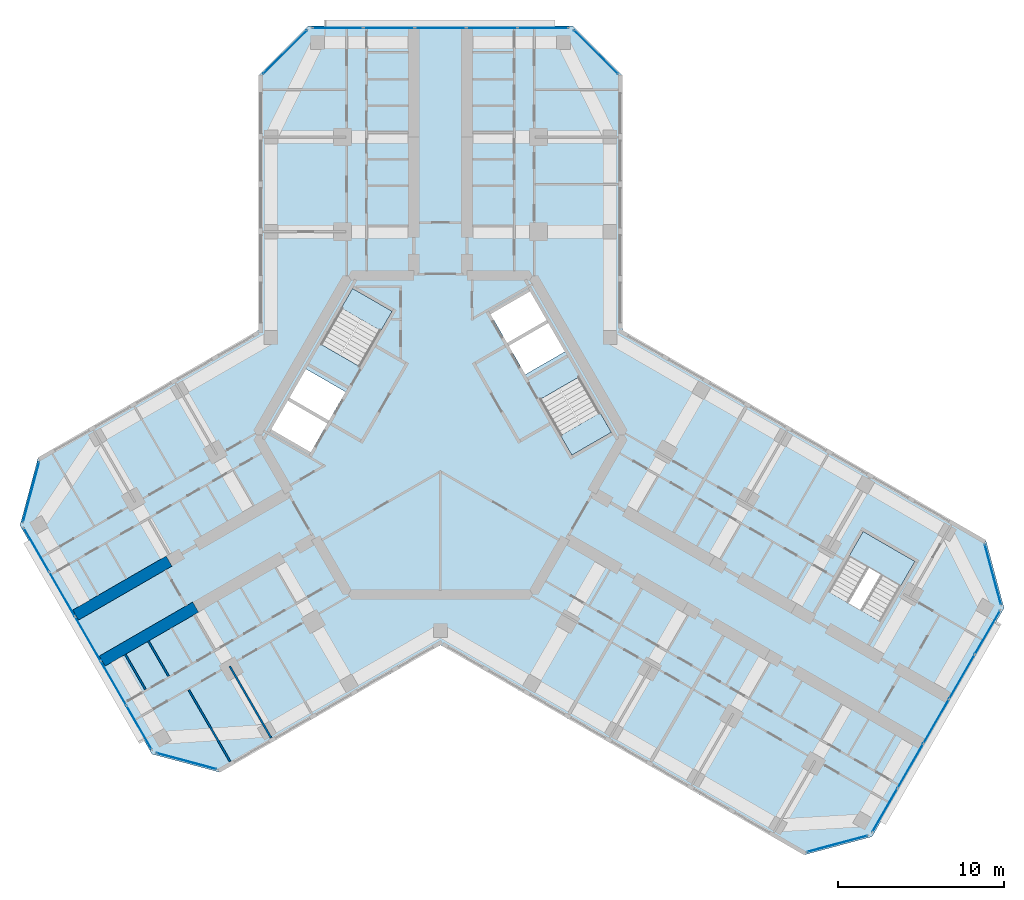
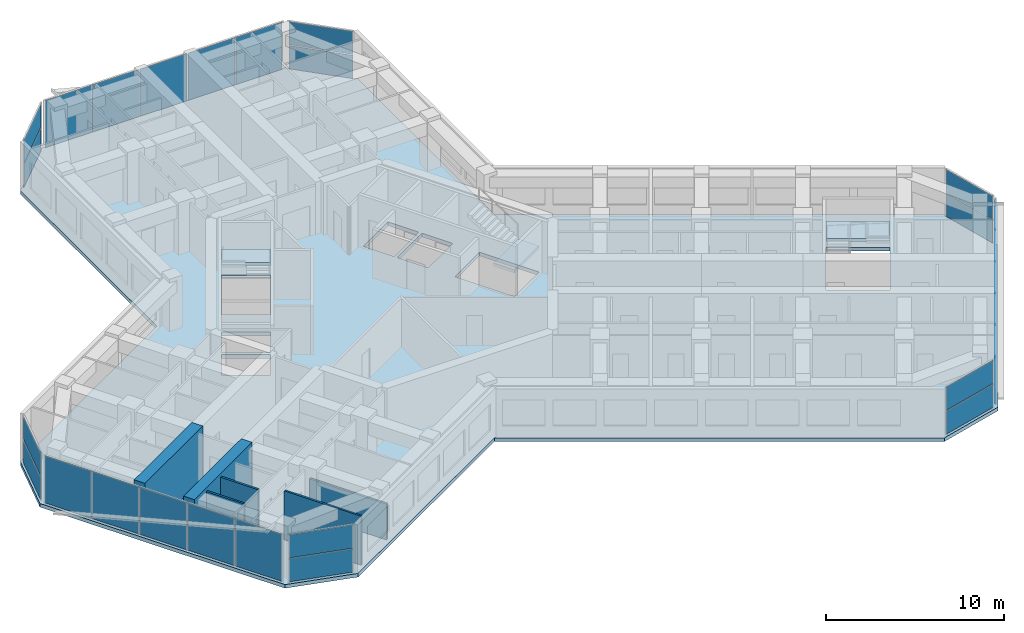
# One storey, part 7 of 16: 27 plates, 6 walls, 4 slabs, 12 elements without a shape of their own.
"""IFC4 building model written with IfcOpenShell, lengths in metres."""

from ifc_helpers import new_model, si_unit, direction, frame, frame_2d, origin, origin_2d, place, context, subcontext, project, spatial, polyline, rectangle, outline, extrude, material, layer, layer_set, type_object, element, aggregate, save


model = new_model("IFC4")

# Units and contexts
model_context = context("Model", 3, precision=1e-05, world=origin(), true_north=direction((0.0, 1.0)))
body_context = subcontext(model_context, "Body", "Model", "MODEL_VIEW")
ifc_project = project(units=[si_unit("LENGTHUNIT", "METRE"), si_unit("AREAUNIT", "SQUARE_METRE"), si_unit("VOLUMEUNIT", "CUBIC_METRE"), si_unit("PLANEANGLEUNIT", "RADIAN"), si_unit("MASSUNIT", "GRAM", prefix="KILO")], contexts=[model_context])

# Site, building, storey
site_placement = place(None, origin())
site = spatial("IfcSite", under=ifc_project, at=site_placement, CompositionType="ELEMENT")
building_placement = place(site_placement, origin())
building = spatial("IfcBuilding", under=site, at=building_placement, Name="Kosmar Iwan School Tower", CompositionType="ELEMENT")
storey_placement = place(building_placement, frame((0.0, 0.0, 253.199951171875)))
storey = spatial("IfcBuildingStorey", under=building, at=storey_placement, Name="L64", CompositionType="ELEMENT", Elevation=253.199951171875)

# Curtain wall, plates
ifc_material_1 = material(Name="Dark glass in black aluminium frame", Category="aluminium")
curtain_wall_type_1 = type_object("IfcCurtainWallType", Name="Chamfer curtain wall dark glass", PredefinedType="USERDEFINED", material=ifc_material_1)
curtain_wall_1_placement = place(storey_placement, origin())
curtain_wall_1 = element("IfcCurtainWall", 1, at=curtain_wall_1_placement, inside=storey, type_object=curtain_wall_type_1, Name="Curtain wall L64-F00", ObjectType="FACETED CURTAIN WALL", PredefinedType="USERDEFINED")
ifc_material_2 = material(Name="Dark glass", Category="glass")
ifc_layer_1 = layer(ifc_material_2, 0.028076171875)
ifc_layer_set_1 = layer_set([ifc_layer_1], Name="Dark glass panel 28")
plate_type = type_object("IfcPlateType", Name="Dark glass panel 28", PredefinedType="CURTAIN_PANEL", material=ifc_layer_set_1)
plate_1_placement = place(storey_placement, frame((23.908203125, -24.61328125, 0.06005859375), z_axis=(0.0, 0.0, 1.0), x_axis=(0.965925875495, 0.258818861462, 0.0)))
plate_1 = element("IfcPlate", 2, at=plate_1_placement, type_object=plate_type, Name="CW2 panel 1.1", PredefinedType="CURTAIN_PANEL", context=body_context, shape_type="SweptSolid", body=[
    extrude(rectangle(XDim=3.718994140625, YDim=0.028076171875, at=origin_2d()), origin(), (0.0, 0.0, 1.0), 1.5849609375),
])
plate_2_placement = place(storey_placement, frame((23.908203125, -24.61328125, 1.705078125), z_axis=(0.0, 0.0, 1.0), x_axis=(0.965925875495, 0.258818861462, 0.0)))
plate_2 = element("IfcPlate", 3, at=plate_2_placement, type_object=plate_type, Name="CW2 panel 1.2", PredefinedType="CURTAIN_PANEL", context=body_context, shape_type="SweptSolid", body=[
    extrude(rectangle(XDim=3.718994140625, YDim=0.028076171875, at=origin_2d()), origin(), (0.0, 0.0, 1.0), 1.5849609375),
])
aggregate(curtain_wall_1, [plate_1, plate_2])

ifc_material_3 = material(Name="Dark glass in black aluminium frame", Category="aluminium")
curtain_wall_type_2 = type_object("IfcCurtainWallType", Name="Tower curtain wall dark glass", PredefinedType="USERDEFINED", material=ifc_material_3)
curtain_wall_2_placement = place(storey_placement, origin())
curtain_wall_2 = element("IfcCurtainWall", 4, at=curtain_wall_2_placement, inside=storey, type_object=curtain_wall_type_2, Name="Curtain wall L64-F01", ObjectType="UNITISED CURTAIN WALL", PredefinedType="USERDEFINED")
plate_3_placement = place(storey_placement, frame((26.764404296875, -22.592529296875, 0.06005859375), z_axis=(0.0, 0.0, 1.0), x_axis=(0.499999997325, 0.866025405329, 0.0)))
plate_3 = element("IfcPlate", 5, at=plate_3_placement, type_object=plate_type, Name="CW1 panel 1.1", PredefinedType="CURTAIN_PANEL", context=body_context, shape_type="SweptSolid", body=[
    extrude(rectangle(XDim=3.00927734375, YDim=0.028076171875, at=origin_2d()), origin(), (0.0, 0.0, 1.0), 3.22998046875),
])
plate_4_placement = place(storey_placement, frame((28.306640625, -19.921630859375, 0.06005859375), z_axis=(0.0, 0.0, 1.0), x_axis=(0.499999997325, 0.866025405329, 0.0)))
plate_4 = element("IfcPlate", 6, at=plate_4_placement, type_object=plate_type, Name="CW1 panel 2.1", PredefinedType="CURTAIN_PANEL", context=body_context, shape_type="SweptSolid", body=[
    extrude(rectangle(XDim=3.039306640625, YDim=0.028076171875, at=origin_2d()), origin(), (0.0, 0.0, 1.0), 3.22998046875),
])
plate_5_placement = place(storey_placement, frame((29.856201171875, -17.237548828125, 0.06005859375), z_axis=(0.0, 0.0, 1.0), x_axis=(0.499999997325, 0.866025405329, 0.0)))
plate_5 = element("IfcPlate", 7, at=plate_5_placement, type_object=plate_type, Name="CW1 panel 3.1", PredefinedType="CURTAIN_PANEL", context=body_context, shape_type="SweptSolid", body=[
    extrude(rectangle(XDim=3.039306640625, YDim=0.028076171875, at=origin_2d()), origin(), (0.0, 0.0, 1.0), 3.22998046875),
])
plate_6_placement = place(storey_placement, frame((31.40576171875, -14.553466796875, 0.06005859375), z_axis=(0.0, 0.0, 1.0), x_axis=(0.499999997325, 0.866025405329, 0.0)))
plate_6 = element("IfcPlate", 8, at=plate_6_placement, type_object=plate_type, Name="CW1 panel 4.1", PredefinedType="CURTAIN_PANEL", context=body_context, shape_type="SweptSolid", body=[
    extrude(rectangle(XDim=3.039306640625, YDim=0.028076171875, at=origin_2d()), origin(), (0.0, 0.0, 1.0), 3.22998046875),
])
plate_7_placement = place(storey_placement, frame((32.947998046875, -11.88232421875, 0.06005859375), z_axis=(0.0, 0.0, 1.0), x_axis=(0.499999997325, 0.866025405329, 0.0)))
plate_7 = element("IfcPlate", 9, at=plate_7_placement, type_object=plate_type, Name="CW1 panel 5.1", PredefinedType="CURTAIN_PANEL", context=body_context, shape_type="SweptSolid", body=[
    extrude(rectangle(XDim=3.00927734375, YDim=0.028076171875, at=origin_2d()), origin(), (0.0, 0.0, 1.0), 3.22998046875),
])
aggregate(curtain_wall_2, [plate_3, plate_4, plate_5, plate_6, plate_7])

curtain_wall_3_placement = place(storey_placement, origin())
curtain_wall_3 = element("IfcCurtainWall", 10, at=curtain_wall_3_placement, inside=storey, type_object=curtain_wall_type_1, Name="Curtain wall L64-F02", ObjectType="FACETED CURTAIN WALL", PredefinedType="USERDEFINED")
plate_8_placement = place(storey_placement, frame((33.269775390625, -8.3984375, 0.06005859375), z_axis=(0.0, 0.0, 1.0), x_axis=(-0.258818861462, 0.965925875495, 0.0)))
plate_8 = element("IfcPlate", 11, at=plate_8_placement, type_object=plate_type, Name="CW2 panel 1.1", PredefinedType="CURTAIN_PANEL", context=body_context, shape_type="SweptSolid", body=[
    extrude(rectangle(XDim=3.718994140625, YDim=0.028076171875, at=origin_2d()), origin(), (0.0, 0.0, 1.0), 1.5849609375),
])
plate_9_placement = place(storey_placement, frame((33.269775390625, -8.3984375, 1.705078125), z_axis=(0.0, 0.0, 1.0), x_axis=(-0.258818861462, 0.965925875495, 0.0)))
plate_9 = element("IfcPlate", 12, at=plate_9_placement, type_object=plate_type, Name="CW2 panel 1.2", PredefinedType="CURTAIN_PANEL", context=body_context, shape_type="SweptSolid", body=[
    extrude(rectangle(XDim=3.718994140625, YDim=0.028076171875, at=origin_2d()), origin(), (0.0, 0.0, 1.0), 1.5849609375),
])
aggregate(curtain_wall_3, [plate_8, plate_9])

curtain_wall_4_placement = place(storey_placement, origin())
curtain_wall_4 = element("IfcCurtainWall", 13, at=curtain_wall_4_placement, inside=storey, type_object=curtain_wall_type_1, Name="Curtain wall L64-F05", ObjectType="FACETED CURTAIN WALL", PredefinedType="USERDEFINED")
plate_10_placement = place(storey_placement, frame((9.361572265625, 23.0615234375, 0.06005859375), z_axis=(0.0, 0.0, 1.0), x_axis=(-0.707106781187, 0.707106781187, 0.0)))
plate_10 = element("IfcPlate", 14, at=plate_10_placement, type_object=plate_type, Name="CW2 panel 1.1", PredefinedType="CURTAIN_PANEL", context=body_context, shape_type="SweptSolid", body=[
    extrude(rectangle(XDim=3.718994140625, YDim=0.028076171875, at=origin_2d()), origin(), (0.0, 0.0, 1.0), 1.5849609375),
])
plate_11_placement = place(storey_placement, frame((9.361572265625, 23.0615234375, 1.705078125), z_axis=(0.0, 0.0, 1.0), x_axis=(-0.707106781187, 0.707106781187, 0.0)))
plate_11 = element("IfcPlate", 15, at=plate_11_placement, type_object=plate_type, Name="CW2 panel 1.2", PredefinedType="CURTAIN_PANEL", context=body_context, shape_type="SweptSolid", body=[
    extrude(rectangle(XDim=3.718994140625, YDim=0.028076171875, at=origin_2d()), origin(), (0.0, 0.0, 1.0), 1.5849609375),
])
aggregate(curtain_wall_4, [plate_10, plate_11])

curtain_wall_5_placement = place(storey_placement, origin())
curtain_wall_5 = element("IfcCurtainWall", 16, at=curtain_wall_5_placement, inside=storey, type_object=curtain_wall_type_2, Name="Curtain wall L64-F06", ObjectType="UNITISED CURTAIN WALL", PredefinedType="USERDEFINED")
plate_12_placement = place(storey_placement, frame((6.18359375, 24.52490234375, 0.06005859375), z_axis=(0.0, 0.0, 1.0), x_axis=(-1.0, 0.0, 0.0)))
plate_12 = element("IfcPlate", 17, at=plate_12_placement, type_object=plate_type, Name="CW1 panel 1.1", PredefinedType="CURTAIN_PANEL", context=body_context, shape_type="SweptSolid", body=[
    extrude(rectangle(XDim=3.00927734375, YDim=0.028076171875, at=origin_2d()), origin(), (0.0, 0.0, 1.0), 3.22998046875),
])
plate_13_placement = place(storey_placement, frame((3.099365234375, 24.52490234375, 0.06005859375), z_axis=(0.0, 0.0, 1.0), x_axis=(-1.0, 0.0, 0.0)))
plate_13 = element("IfcPlate", 18, at=plate_13_placement, type_object=plate_type, Name="CW1 panel 2.1", PredefinedType="CURTAIN_PANEL", context=body_context, shape_type="SweptSolid", body=[
    extrude(rectangle(XDim=3.039306640625, YDim=0.028076171875, at=origin_2d()), origin(), (0.0, 0.0, 1.0), 3.22998046875),
])
plate_14_placement = place(storey_placement, frame((0.0, 24.52490234375, 0.06005859375), z_axis=(0.0, 0.0, 1.0), x_axis=(-1.0, 0.0, 0.0)))
plate_14 = element("IfcPlate", 19, at=plate_14_placement, type_object=plate_type, Name="CW1 panel 3.1", PredefinedType="CURTAIN_PANEL", context=body_context, shape_type="SweptSolid", body=[
    extrude(rectangle(XDim=3.039306640625, YDim=0.028076171875, at=origin_2d()), origin(), (0.0, 0.0, 1.0), 3.22998046875),
])
plate_15_placement = place(storey_placement, frame((-3.099365234375, 24.52490234375, 0.06005859375), z_axis=(0.0, 0.0, 1.0), x_axis=(-1.0, 0.0, 0.0)))
plate_15 = element("IfcPlate", 20, at=plate_15_placement, type_object=plate_type, Name="CW1 panel 4.1", PredefinedType="CURTAIN_PANEL", context=body_context, shape_type="SweptSolid", body=[
    extrude(rectangle(XDim=3.039306640625, YDim=0.028076171875, at=origin_2d()), origin(), (0.0, 0.0, 1.0), 3.22998046875),
])
plate_16_placement = place(storey_placement, frame((-6.18359375, 24.52490234375, 0.06005859375), z_axis=(0.0, 0.0, 1.0), x_axis=(-1.0, 0.0, 0.0)))
plate_16 = element("IfcPlate", 21, at=plate_16_placement, type_object=plate_type, Name="CW1 panel 5.1", PredefinedType="CURTAIN_PANEL", context=body_context, shape_type="SweptSolid", body=[
    extrude(rectangle(XDim=3.00927734375, YDim=0.028076171875, at=origin_2d()), origin(), (0.0, 0.0, 1.0), 3.22998046875),
])
aggregate(curtain_wall_5, [plate_12, plate_13, plate_14, plate_15, plate_16])

curtain_wall_6_placement = place(storey_placement, origin())
curtain_wall_6 = element("IfcCurtainWall", 22, at=curtain_wall_6_placement, inside=storey, type_object=curtain_wall_type_1, Name="Curtain wall L64-F07", ObjectType="FACETED CURTAIN WALL", PredefinedType="USERDEFINED")
plate_17_placement = place(storey_placement, frame((-9.361572265625, 23.0615234375, 0.06005859375), z_axis=(0.0, 0.0, 1.0), x_axis=(-0.707106781187, -0.707106781187, 0.0)))
plate_17 = element("IfcPlate", 23, at=plate_17_placement, type_object=plate_type, Name="CW2 panel 1.1", PredefinedType="CURTAIN_PANEL", context=body_context, shape_type="SweptSolid", body=[
    extrude(rectangle(XDim=3.718994140625, YDim=0.028076171875, at=origin_2d()), origin(), (0.0, 0.0, 1.0), 1.5849609375),
])
plate_18_placement = place(storey_placement, frame((-9.361572265625, 23.0615234375, 1.705078125), z_axis=(0.0, 0.0, 1.0), x_axis=(-0.707106781187, -0.707106781187, 0.0)))
plate_18 = element("IfcPlate", 24, at=plate_18_placement, type_object=plate_type, Name="CW2 panel 1.2", PredefinedType="CURTAIN_PANEL", context=body_context, shape_type="SweptSolid", body=[
    extrude(rectangle(XDim=3.718994140625, YDim=0.028076171875, at=origin_2d()), origin(), (0.0, 0.0, 1.0), 1.5849609375),
])
aggregate(curtain_wall_6, [plate_17, plate_18])

curtain_wall_7_placement = place(storey_placement, origin())
curtain_wall_7 = element("IfcCurtainWall", 25, at=curtain_wall_7_placement, inside=storey, type_object=curtain_wall_type_1, Name="Curtain wall L64-F10", ObjectType="FACETED CURTAIN WALL", PredefinedType="USERDEFINED")
plate_19_placement = place(storey_placement, frame((-24.65283203125, -3.42333984375, 0.06005859375), z_axis=(0.0, 0.0, 1.0), x_axis=(-0.258818861462, -0.965925875495, 0.0)))
plate_19 = element("IfcPlate", 26, at=plate_19_placement, type_object=plate_type, Name="CW2 panel 1.1", PredefinedType="CURTAIN_PANEL", context=body_context, shape_type="SweptSolid", body=[
    extrude(rectangle(XDim=3.718994140625, YDim=0.028076171875, at=origin_2d()), origin(), (0.0, 0.0, 1.0), 1.5849609375),
])
plate_20_placement = place(storey_placement, frame((-24.65283203125, -3.42333984375, 1.705078125), z_axis=(0.0, 0.0, 1.0), x_axis=(-0.258818861462, -0.965925875495, 0.0)))
plate_20 = element("IfcPlate", 27, at=plate_20_placement, type_object=plate_type, Name="CW2 panel 1.2", PredefinedType="CURTAIN_PANEL", context=body_context, shape_type="SweptSolid", body=[
    extrude(rectangle(XDim=3.718994140625, YDim=0.028076171875, at=origin_2d()), origin(), (0.0, 0.0, 1.0), 1.5849609375),
])
aggregate(curtain_wall_7, [plate_19, plate_20])

curtain_wall_8_placement = place(storey_placement, origin())
curtain_wall_8 = element("IfcCurtainWall", 28, at=curtain_wall_8_placement, inside=storey, type_object=curtain_wall_type_2, Name="Curtain wall L64-F11", ObjectType="UNITISED CURTAIN WALL", PredefinedType="USERDEFINED")
plate_21_placement = place(storey_placement, frame((-24.3310546875, -6.907470703125, 0.06005859375), z_axis=(0.0, 0.0, 1.0), x_axis=(0.499999997325, -0.866025405329, 0.0)))
plate_21 = element("IfcPlate", 29, at=plate_21_placement, type_object=plate_type, Name="CW1 panel 1.1", PredefinedType="CURTAIN_PANEL", context=body_context, shape_type="SweptSolid", body=[
    extrude(rectangle(XDim=3.00927734375, YDim=0.028076171875, at=origin_2d()), origin(), (0.0, 0.0, 1.0), 3.22998046875),
])
plate_22_placement = place(storey_placement, frame((-22.788818359375, -9.578369140625, 0.06005859375), z_axis=(0.0, 0.0, 1.0), x_axis=(0.499999997325, -0.866025405329, 0.0)))
plate_22 = element("IfcPlate", 30, at=plate_22_placement, type_object=plate_type, Name="CW1 panel 2.1", PredefinedType="CURTAIN_PANEL", context=body_context, shape_type="SweptSolid", body=[
    extrude(rectangle(XDim=3.039306640625, YDim=0.028076171875, at=origin_2d()), origin(), (0.0, 0.0, 1.0), 3.22998046875),
])
plate_23_placement = place(storey_placement, frame((-21.2392578125, -12.262451171875, 0.06005859375), z_axis=(0.0, 0.0, 1.0), x_axis=(0.499999997325, -0.866025405329, 0.0)))
plate_23 = element("IfcPlate", 31, at=plate_23_placement, type_object=plate_type, Name="CW1 panel 3.1", PredefinedType="CURTAIN_PANEL", context=body_context, shape_type="SweptSolid", body=[
    extrude(rectangle(XDim=3.039306640625, YDim=0.028076171875, at=origin_2d()), origin(), (0.0, 0.0, 1.0), 3.22998046875),
])
plate_24_placement = place(storey_placement, frame((-19.689697265625, -14.946533203125, 0.06005859375), z_axis=(0.0, 0.0, 1.0), x_axis=(0.499999997325, -0.866025405329, 0.0)))
plate_24 = element("IfcPlate", 32, at=plate_24_placement, type_object=plate_type, Name="CW1 panel 4.1", PredefinedType="CURTAIN_PANEL", context=body_context, shape_type="SweptSolid", body=[
    extrude(rectangle(XDim=3.039306640625, YDim=0.028076171875, at=origin_2d()), origin(), (0.0, 0.0, 1.0), 3.22998046875),
])
plate_25_placement = place(storey_placement, frame((-18.1474609375, -17.61767578125, 0.06005859375), z_axis=(0.0, 0.0, 1.0), x_axis=(0.499999997325, -0.866025405329, 0.0)))
plate_25 = element("IfcPlate", 33, at=plate_25_placement, type_object=plate_type, Name="CW1 panel 5.1", PredefinedType="CURTAIN_PANEL", context=body_context, shape_type="SweptSolid", body=[
    extrude(rectangle(XDim=3.00927734375, YDim=0.028076171875, at=origin_2d()), origin(), (0.0, 0.0, 1.0), 3.22998046875),
])
aggregate(curtain_wall_8, [plate_21, plate_22, plate_23, plate_24, plate_25])

curtain_wall_9_placement = place(storey_placement, origin())
curtain_wall_9 = element("IfcCurtainWall", 34, at=curtain_wall_9_placement, inside=storey, type_object=curtain_wall_type_1, Name="Curtain wall L64-F12", ObjectType="FACETED CURTAIN WALL", PredefinedType="USERDEFINED")
plate_26_placement = place(storey_placement, frame((-15.291015625, -19.63818359375, 0.06005859375), z_axis=(0.0, 0.0, 1.0), x_axis=(0.965925875495, -0.258818861462, 0.0)))
plate_26 = element("IfcPlate", 35, at=plate_26_placement, type_object=plate_type, Name="CW2 panel 1.1", PredefinedType="CURTAIN_PANEL", context=body_context, shape_type="SweptSolid", body=[
    extrude(rectangle(XDim=3.718994140625, YDim=0.028076171875, at=origin_2d()), origin(), (0.0, 0.0, 1.0), 1.5849609375),
])
plate_27_placement = place(storey_placement, frame((-15.291015625, -19.63818359375, 1.705078125), z_axis=(0.0, 0.0, 1.0), x_axis=(0.965925875495, -0.258818861462, 0.0)))
plate_27 = element("IfcPlate", 36, at=plate_27_placement, type_object=plate_type, Name="CW2 panel 1.2", PredefinedType="CURTAIN_PANEL", context=body_context, shape_type="SweptSolid", body=[
    extrude(rectangle(XDim=3.718994140625, YDim=0.028076171875, at=origin_2d()), origin(), (0.0, 0.0, 1.0), 1.5849609375),
])
aggregate(curtain_wall_9, [plate_26, plate_27])

# Stair, slab
ifc_material_4 = material(Name="Concrete C35/45", Category="concrete")
stair_type_1 = type_object("IfcStairType", Name="Escape stair 3600", PredefinedType="HALF_TURN_STAIR", material=ifc_material_4)
stair_1_placement = place(storey_placement, origin())
stair_1 = element("IfcStair", 37, at=stair_1_placement, inside=storey, type_object=stair_type_1, Name="Stair WS3 L64", PredefinedType="HALF_TURN_STAIR")
ifc_material_5 = material(Name="Concrete C35/45", Category="concrete")
ifc_layer_2 = layer(ifc_material_5, 0.199951171875)
ifc_layer_set_2 = layer_set([ifc_layer_2], Name="Escape stair landing 200")
slab_type_1 = type_object("IfcSlabType", Name="Escape stair landing 200", PredefinedType="LANDING", material=ifc_layer_set_2)
slab_1_placement = place(storey_placement, frame((0.0, 0.0, 1.60009765625)))
slab_1 = element("IfcSlab", 38, at=slab_1_placement, type_object=slab_type_1, Name="WS3 landing 1", PredefinedType="LANDING", context=body_context, shape_type="SweptSolid", body=[
    extrude(outline(polyline([(24.607421875, -7.27880859375), (27.72509765625, -9.078857421875), (28.574951171875, -7.606689453125), (25.457275390625, -5.806640625), (24.607421875, -7.27880859375)])), origin(), (0.0, 0.0, 1.0), 0.199951171875),
])
aggregate(stair_1, [slab_1])

# Slab
ifc_material_6 = material(Name="Concrete C35/45", Category="concrete")
ifc_layer_3 = layer(ifc_material_6, 0.25)
ifc_layer_set_3 = layer_set([ifc_layer_3], Name="Floor slab 250")
slab_type_2 = type_object("IfcSlabType", Name="Floor slab 250", PredefinedType="FLOOR", material=ifc_layer_set_3)
slab_2_placement = place(storey_placement, frame((0.0, 0.0, -0.25)))
element("IfcSlab", 39, at=slab_2_placement, inside=storey, type_object=slab_type_2, Name="L64 floor slab", PredefinedType="FLOOR", context=body_context, shape_type="SweptSolid", body=[
    extrude(outline(polyline([(21.891357421875, -25.282958984375), (25.989501953125, -24.184814453125), (33.939453125, -10.4150390625), (32.84130859375, -6.317138671875), (10.949951171875, 6.322021484375), (10.949951171875, 21.64990234375), (7.949951171875, 24.64990234375), (-7.949951171875, 24.64990234375), (-10.949951171875, 21.64990234375), (-10.949951171875, 6.322021484375), (-24.224365234375, -1.342041015625), (-25.322509765625, -5.440185546875), (-17.37255859375, -19.2099609375), (-13.2744140625, -20.307861328125), (0.0, -12.64404296875), (21.891357421875, -25.282958984375)]), holes=[polyline([(7.91259765625, -1.205078125), (10.294189453125, 0.169921875), (8.3642578125, 3.5126953125), (5.982666015625, 2.1376953125), (7.91259765625, -1.205078125)]), polyline([(-2.91259765625, 7.455078125), (-5.294189453125, 8.830078125), (-7.22412109375, 5.4873046875), (-4.8427734375, 4.1123046875), (-2.91259765625, 7.455078125)]), polyline([(-5.712646484375, 2.60546875), (-8.09423828125, 3.98046875), (-9.09423828125, 2.248291015625), (-6.712646484375, 0.873291015625), (-5.712646484375, 2.60546875)]), polyline([(-6.812744140625, 0.7001953125), (-9.1943359375, 2.0751953125), (-10.1943359375, 0.343017578125), (-7.812744140625, -1.031982421875), (-6.812744140625, 0.7001953125)]), polyline([(5.112548828125, 3.64453125), (7.494140625, 5.01953125), (6.494140625, 6.751708984375), (4.112548828125, 5.376708984375), (5.112548828125, 3.64453125)]), polyline([(4.0126953125, 5.5498046875), (6.394287109375, 6.9248046875), (5.394287109375, 8.656982421875), (3.0126953125, 7.281982421875), (4.0126953125, 5.5498046875)]), polyline([(23.367431640625, -9.426513671875), (26.485107421875, -11.2265625), (28.574951171875, -7.606689453125), (25.457275390625, -5.806640625), (23.367431640625, -9.426513671875)])]), origin(), (0.0, 0.0, 1.0), 0.25),
])

# Stair, slab
ifc_material_7 = material(Name="Concrete C35/45", Category="concrete")
stair_type_2 = type_object("IfcStairType", Name="Core stair 2750", PredefinedType="HALF_TURN_STAIR", material=ifc_material_7)
stair_2_placement = place(storey_placement, origin())
stair_2 = element("IfcStair", 40, at=stair_2_placement, inside=storey, type_object=stair_type_2, Name="Stair ST2 L64", PredefinedType="HALF_TURN_STAIR")
ifc_material_8 = material(Name="Concrete C35/45", Category="concrete")
ifc_layer_4 = layer(ifc_material_8, 0.199951171875)
ifc_layer_set_4 = layer_set([ifc_layer_4], Name="Stair landing 200")
slab_type_3 = type_object("IfcSlabType", Name="Stair landing 200", PredefinedType="LANDING", material=ifc_layer_set_4)
slab_3_placement = place(storey_placement, frame((0.0, 0.0, 1.60009765625)))
slab_3 = element("IfcSlab", 41, at=slab_3_placement, type_object=slab_type_3, Name="ST2 landing 1", PredefinedType="LANDING", context=body_context, shape_type="SweptSolid", body=[
    extrude(outline(polyline([(-2.91259765625, 7.455078125), (-5.294189453125, 8.830078125), (-5.97412109375, 7.65234375), (-3.5927734375, 6.27734375), (-2.91259765625, 7.455078125)])), origin(), (0.0, 0.0, 1.0), 0.199951171875),
])
aggregate(stair_2, [slab_3])

stair_3_placement = place(storey_placement, origin())
stair_3 = element("IfcStair", 42, at=stair_3_placement, inside=storey, type_object=stair_type_2, Name="Stair ST1 L64", PredefinedType="HALF_TURN_STAIR")
slab_4_placement = place(storey_placement, frame((0.0, 0.0, 1.60009765625)))
slab_4 = element("IfcSlab", 43, at=slab_4_placement, type_object=slab_type_3, Name="ST1 landing 1", PredefinedType="LANDING", context=body_context, shape_type="SweptSolid", body=[
    extrude(outline(polyline([(7.91259765625, -1.205078125), (10.294189453125, 0.169921875), (9.6142578125, 1.34765625), (7.232666015625, -0.02734375), (7.91259765625, -1.205078125)])), origin(), (0.0, 0.0, 1.0), 0.199951171875),
])
aggregate(stair_3, [slab_4])

# Walls
ifc_material_9 = material(Name="Concrete C50/60", Category="concrete")
ifc_layer_5 = layer(ifc_material_9, 0.699951171875)
ifc_layer_set_5 = layer_set([ifc_layer_5], Name="Corridor buttress wall 700")
wall_type_1 = type_object("IfcWallType", Name="Corridor buttress wall 700", PredefinedType="SHEAR", material=ifc_layer_set_5)
wall_1_placement = place(storey_placement, frame((-14.7451171875, -10.360595703125, 0.0), z_axis=(0.0, 0.0, 1.0), x_axis=(-0.866027848477, -0.499995765644, 0.0)))
element("IfcWall", 44, at=wall_1_placement, inside=storey, type_object=wall_type_1, Name="Corridor wall BL bay 2", PredefinedType="SHEAR", context=body_context, shape_type="SweptSolid", body=[
    extrude(rectangle(XDim=6.4951171875, YDim=0.699951171875, at=frame_2d((3.24755859375, 0.0))), origin(), (0.0, 0.0, 1.0), 3.60009765625),
])
wall_2_placement = place(storey_placement, frame((-16.34521484375, -7.58935546875, 0.0), z_axis=(0.0, 0.0, 1.0), x_axis=(-0.866018451174, -0.500012042081, 0.0)))
element("IfcWall", 45, at=wall_2_placement, inside=storey, type_object=wall_type_1, Name="Corridor wall BR bay 2", PredefinedType="SHEAR", context=body_context, shape_type="SweptSolid", body=[
    extrude(rectangle(XDim=6.494873046875, YDim=0.699951171875, at=frame_2d((3.24755859375, 0.0))), origin(), (0.0, 0.0, 1.0), 3.60009765625),
])
ifc_material_10 = material(Name="Gypsum board on steel studs", Category="steel")
ifc_layer_6 = layer(ifc_material_10, 0.1201171875)
ifc_layer_set_6 = layer_set([ifc_layer_6], Name="Dwelling partition 120")
wall_type_2 = type_object("IfcWallType", Name="Dwelling partition 120", PredefinedType="PARTITIONING", material=ifc_layer_set_6)
wall_3_placement = place(storey_placement, frame((-12.690185546875, -13.919921875, 0.0), z_axis=(0.0, 0.0, 1.0), x_axis=(0.500011847778, -0.866018563358, 0.0)))
element("IfcWall", 46, at=wall_3_placement, inside=storey, type_object=wall_type_2, Name="Partition L64-BL1-X2", PredefinedType="PARTITIONING", context=body_context, shape_type="SweptSolid", body=[
    extrude(rectangle(XDim=4.990234375, YDim=0.1201171875, at=frame_2d((2.4951171875, 0.0))), origin(), (0.0, 0.0, 1.0), 2.449951171875),
])
wall_4_placement = place(storey_placement, frame((-15.158447265625, -15.344970703125, 0.0), z_axis=(0.0, 0.0, 1.0), x_axis=(0.500011847778, -0.866018563358, 0.0)))
element("IfcWall", 47, at=wall_4_placement, inside=storey, type_object=wall_type_2, Name="Partition L64-BL1-X3", PredefinedType="PARTITIONING", context=body_context, shape_type="SweptSolid", body=[
    extrude(rectangle(XDim=4.990234375, YDim=0.1201171875, at=frame_2d((2.4951171875, 0.0))), origin(), (0.0, 0.0, 1.0), 3.35009765625),
])
wall_5_placement = place(storey_placement, frame((-17.589599609375, -12.406982421875, 0.0), z_axis=(0.0, 0.0, 1.0), x_axis=(0.499959183527, -0.866048967903, 0.0)))
element("IfcWall", 48, at=wall_5_placement, inside=storey, type_object=wall_type_2, Name="Partition L64-BL1-Y6", PredefinedType="PARTITIONING", context=body_context, shape_type="SweptSolid", body=[
    extrude(rectangle(XDim=2.440185546875, YDim=0.1201171875, at=frame_2d((1.22021484375, 0.0))), origin(), (0.0, 0.0, 1.0), 3.35009765625),
])
wall_6_placement = place(storey_placement, frame((-18.981201171875, -13.21044921875, 0.0), z_axis=(0.0, 0.0, 1.0), x_axis=(0.500077547548, -0.865980627057, 0.0)))
element("IfcWall", 49, at=wall_6_placement, inside=storey, type_object=wall_type_2, Name="Partition L64-BL1-Y7", PredefinedType="PARTITIONING", context=body_context, shape_type="SweptSolid", body=[
    extrude(rectangle(XDim=2.43994140625, YDim=0.1201171875, at=frame_2d((1.219970703125, 0.0))), origin(), (0.0, 0.0, 1.0), 3.35009765625),
])

save(model, "model.ifc")
